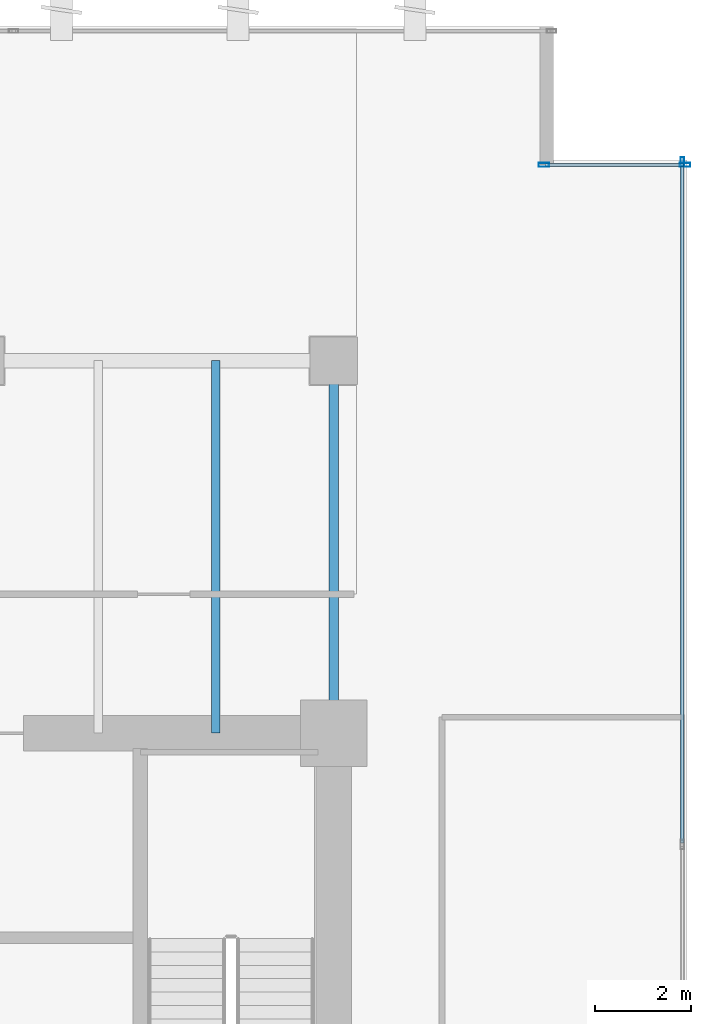
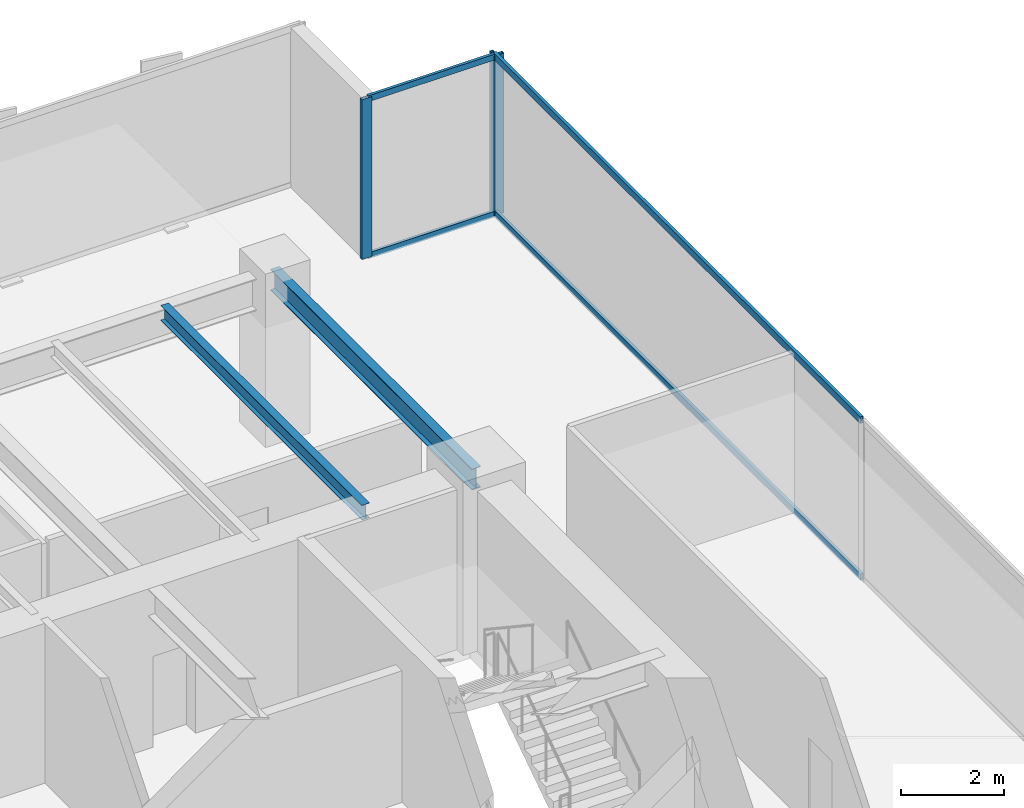
# One storey, part 26 of 37: 7 members, 2 beams, 2 elements without a shape of their own.
"""IFC4 building model written with IfcOpenShell, lengths in metres."""

from ifc_helpers import new_model, si_unit, direction, frame, origin, origin_2d, place, context, subcontext, project, spatial, hollow_rectangle, i_section, extrude, source, transform, mapped, material, layer, layer_set, material_profile, profile_set, type_object, type_shapes, element, aggregate, save


model = new_model("IFC4")

# Units and contexts
model_context = context("Model", 3, precision=1e-05, world=origin(), true_north=direction((0.0, 1.0)))
body_context = subcontext(model_context, "Body", "Model", "MODEL_VIEW")
ifc_project = project(units=[si_unit("LENGTHUNIT", "METRE"), si_unit("AREAUNIT", "SQUARE_METRE"), si_unit("VOLUMEUNIT", "CUBIC_METRE"), si_unit("PLANEANGLEUNIT", "RADIAN"), si_unit("MASSUNIT", "GRAM", prefix="KILO")], contexts=[model_context])

# Site, building, storey
site_placement = place(None, origin())
site = spatial("IfcSite", under=ifc_project, at=site_placement, CompositionType="ELEMENT")
building_placement = place(site_placement, origin())
building = spatial("IfcBuilding", under=site, at=building_placement, Name="Haelvirn Gate Laboratories", CompositionType="ELEMENT")
storey_placement = place(building_placement, frame((0.0, 0.0, 74.39990234375)))
storey = spatial("IfcBuildingStorey", under=building, at=storey_placement, Name="L18", CompositionType="ELEMENT", Elevation=74.39990234375)

# Beams
ifc_material_1 = material(Name="Steel SM355", Category="steel")
ifc_material_profile_1 = material_profile(ifc_material_1, i_section(OverallWidth=0.199951171875, OverallDepth=0.5, WebThickness=0.010009765625, FlangeThickness=0.01611328125, at=origin_2d()), Name="H-500x200x10x16")
ifc_profile_set_1 = profile_set([ifc_material_profile_1], Name="Steel SM355")
beam_type_1 = type_object("IfcBeamType", Name="BM-SP-500", PredefinedType="SPANDREL", material=ifc_profile_set_1)
shared_shape_1 = source(origin(), body_context, "Body", "SweptSolid", [
    extrude(i_section(OverallWidth=0.199951171875, OverallDepth=0.5, WebThickness=0.010009765625, FlangeThickness=0.01611328125, at=origin_2d()), origin(), (0.0, 0.0, 1.0), 7.800048828125),
])
type_shapes(beam_type_1, [shared_shape_1])
beam_1_placement = place(storey_placement, frame((67.39990234375, 33.800048828125, 3.530029296875), z_axis=(0.0, 1.0, 0.0), x_axis=(-1.0, 0.0, 0.0)))
element("IfcBeam", 1, at=beam_1_placement, inside=storey, type_object=beam_type_1, Name="L18 Perimeter Spandrel X67.4 (33.8-41.6)", PredefinedType="SPANDREL", context=body_context, shape_type="MappedRepresentation", body=[
    mapped(shared_shape_1, transform((0.0, 0.0, 0.0), scale=1.0)),
])
ifc_material_profile_2 = material_profile(ifc_material_1, i_section(OverallWidth=0.175048828125, OverallDepth=0.35009765625, WebThickness=0.007080078125, FlangeThickness=0.010986328125, at=origin_2d()), Name="H-350x175x7x11")
ifc_profile_set_2 = profile_set([ifc_material_profile_2], Name="Steel SM355")
beam_type_2 = type_object("IfcBeamType", Name="BM-J-350", PredefinedType="JOIST", material=ifc_profile_set_2)
shared_shape_2 = source(origin(), body_context, "Body", "SweptSolid", [
    extrude(i_section(OverallWidth=0.175048828125, OverallDepth=0.35009765625, WebThickness=0.007080078125, FlangeThickness=0.010986328125, at=origin_2d()), origin(), (0.0, 0.0, 1.0), 7.800048828125),
])
type_shapes(beam_type_2, [shared_shape_2])
beam_2_placement = place(storey_placement, frame((64.929931640625, 33.800048828125, 3.60498046875), z_axis=(0.0, 1.0, 0.0), x_axis=(-1.0, 0.0, 0.0)))
element("IfcBeam", 2, at=beam_2_placement, inside=storey, type_object=beam_type_2, Name="L18 Composite Lab Joist North X64.93", PredefinedType="JOIST", context=body_context, shape_type="MappedRepresentation", body=[
    mapped(shared_shape_2, transform((0.0, 0.0, 0.0), scale=1.0)),
])

# Curtain wall, member
ifc_material_2 = material(Name="Anodised bronze unitised aluminium & triple low-E glass", Category="aluminium")
ifc_layer_1 = layer(ifc_material_2, 0.18408203125, Name="CW-SYS-2")
ifc_layer_set_1 = layer_set([ifc_layer_1], Name="Anodised bronze unitised aluminium & triple low-E glass")
curtain_wall_type_1 = type_object("IfcCurtainWallType", Name="CW-SYS-2", PredefinedType="NOTDEFINED", material=ifc_layer_set_1)
curtain_wall_1_placement = place(storey_placement, origin())
curtain_wall_1 = element("IfcCurtainWall", 3, at=curtain_wall_1_placement, inside=storey, type_object=curtain_wall_type_1, Name="L18 Unitised Curtain Wall CW-L18-P0-E07", PredefinedType="NOTDEFINED")
ifc_material_3 = material(Name="Extruded aluminium 6063-T6 (anodised bronze)", Category="aluminium")
ifc_material_profile_3 = material_profile(ifc_material_3, hollow_rectangle(XDim=0.074951171875, YDim=0.199951171875, WallThickness=0.0048828125, at=origin_2d()), Name="CWM-200x75x5")
ifc_profile_set_3 = profile_set([ifc_material_profile_3], Name="Extruded aluminium 6063-T6 (anodised bronze)")
member_type_1 = type_object("IfcMemberType", Name="CWM-T200", PredefinedType="MULLION", material=ifc_profile_set_3)
shared_shape_3 = source(origin(), body_context, "Body", "SweptSolid", [
    extrude(hollow_rectangle(XDim=0.074951171875, YDim=0.199951171875, WallThickness=0.0048828125, at=origin_2d()), origin(), (0.0, 0.0, 1.0), 3.780029296875),
])
type_shapes(member_type_1, [shared_shape_3])
member_1_placement = place(storey_placement, frame((74.699951171875, 45.762451171875, 0.0), z_axis=(0.0, 0.0, 1.0), x_axis=(-1.0, 0.0, 0.0)))
member_1 = element("IfcMember", 4, at=member_1_placement, type_object=member_type_1, Name="CW2 mullion 4", PredefinedType="MULLION", context=body_context, shape_type="MappedRepresentation", body=[
    mapped(shared_shape_3, transform((0.0, 0.0, 0.0), scale=1.0)),
])

# Curtain wall, members
ifc_layer_2 = layer(ifc_material_2, 0.181884765625, Name="CW-SYS-5")
ifc_layer_set_2 = layer_set([ifc_layer_2], Name="Anodised bronze unitised aluminium & triple low-E glass")
curtain_wall_type_2 = type_object("IfcCurtainWallType", Name="CW-SYS-5", PredefinedType="NOTDEFINED", material=ifc_layer_set_2)
curtain_wall_2_placement = place(storey_placement, origin())
curtain_wall_2 = element("IfcCurtainWall", 5, at=curtain_wall_2_placement, inside=storey, type_object=curtain_wall_type_2, Name="L18 Unitised Curtain Wall CW-L18-P0-E08-1", PredefinedType="NOTDEFINED")
ifc_material_profile_4 = material_profile(ifc_material_3, hollow_rectangle(XDim=0.080078125, YDim=0.219970703125, WallThickness=0.006103515625, at=origin_2d()), Name="CWM-220x80x6")
ifc_profile_set_4 = profile_set([ifc_material_profile_4], Name="Extruded aluminium 6063-T6 (anodised bronze)")
member_type_2 = type_object("IfcMemberType", Name="CWM-T220", PredefinedType="MULLION", material=ifc_profile_set_4)
shared_shape_4 = source(origin(), body_context, "Body", "SweptSolid", [
    extrude(hollow_rectangle(XDim=0.080078125, YDim=0.219970703125, WallThickness=0.006103515625, at=origin_2d()), origin(), (0.0, 0.0, 1.0), 3.780029296875),
])
type_shapes(member_type_2, [shared_shape_4])
member_2_placement = place(storey_placement, frame((71.800048828125, 45.699951171875, 0.0), z_axis=(0.0, 0.0, 1.0), x_axis=(0.0, 1.0, 0.0)))
member_2 = element("IfcMember", 6, at=member_2_placement, type_object=member_type_2, Name="CW5 mullion 1", PredefinedType="MULLION", context=body_context, shape_type="MappedRepresentation", body=[
    mapped(shared_shape_4, transform((0.0, 0.0, 0.0), scale=1.0)),
])
member_3_placement = place(storey_placement, frame((74.760009765625, 45.699951171875, 0.0), z_axis=(0.0, 0.0, 1.0), x_axis=(0.0, 1.0, 0.0)))
member_3 = element("IfcMember", 7, at=member_3_placement, type_object=member_type_2, Name="CW5 mullion 2", PredefinedType="MULLION", context=body_context, shape_type="MappedRepresentation", body=[
    mapped(shared_shape_4, transform((0.0, 0.0, 0.0), scale=1.0)),
])
ifc_material_profile_5 = material_profile(ifc_material_3, hollow_rectangle(XDim=0.06494140625, YDim=0.139892578125, WallThickness=0.00390625, at=origin_2d()), Name="CWT-140x65x4")
ifc_profile_set_5 = profile_set([ifc_material_profile_5], Name="Extruded aluminium 6063-T6 (anodised bronze)")
member_type_3 = type_object("IfcMemberType", Name="CWT-T140", PredefinedType="USERDEFINED", material=ifc_profile_set_5)
shared_shape_5 = source(origin(), body_context, "Body", "SweptSolid", [
    extrude(hollow_rectangle(XDim=0.06494140625, YDim=0.139892578125, WallThickness=0.00390625, at=origin_2d()), origin(), (0.0, 0.0, 1.0), 2.8798828125),
])
type_shapes(member_type_3, [shared_shape_5])
member_4_placement = place(storey_placement, frame((71.840087890625, 45.699951171875, 0.03271484375), z_axis=(1.0, 0.0, 0.0), x_axis=(0.0, 1.0, 0.0)))
member_4 = element("IfcMember", 8, at=member_4_placement, type_object=member_type_3, Name="CW5 transom 1.1", ObjectType="TRANSOM", PredefinedType="USERDEFINED", context=body_context, shape_type="MappedRepresentation", body=[
    mapped(shared_shape_5, transform((0.0, 0.0, 0.0), scale=1.0)),
])
member_5_placement = place(storey_placement, frame((71.840087890625, 45.699951171875, 3.74755859375), z_axis=(1.0, 0.0, 0.0), x_axis=(0.0, 1.0, 0.0)))
member_5 = element("IfcMember", 9, at=member_5_placement, type_object=member_type_3, Name="CW5 transom 1.2", ObjectType="TRANSOM", PredefinedType="USERDEFINED", context=body_context, shape_type="MappedRepresentation", body=[
    mapped(shared_shape_5, transform((0.0, 0.0, 0.0), scale=1.0)),
])
aggregate(curtain_wall_2, [member_2, member_3, member_4, member_5])

# Member
ifc_material_profile_6 = material_profile(ifc_material_3, hollow_rectangle(XDim=0.070068359375, YDim=0.159912109375, WallThickness=0.0048828125, at=origin_2d()), Name="CWT-160x70x5")
ifc_profile_set_6 = profile_set([ifc_material_profile_6], Name="Extruded aluminium 6063-T6 (anodised bronze)")
member_type_4 = type_object("IfcMemberType", Name="CWT-T160", PredefinedType="USERDEFINED", material=ifc_profile_set_6)
shared_shape_6 = source(origin(), body_context, "Body", "SweptSolid", [
    extrude(hollow_rectangle(XDim=0.070068359375, YDim=0.159912109375, WallThickness=0.0048828125, at=origin_2d()), origin(), (0.0, 0.0, 1.0), 14.220947265625),
])
type_shapes(member_type_4, [shared_shape_6])
member_6_placement = place(storey_placement, frame((74.699951171875, 31.504150390625, 0.03515625), z_axis=(0.0, 1.0, 0.0), x_axis=(-1.0, 0.0, 0.0)))
member_6 = element("IfcMember", 10, at=member_6_placement, type_object=member_type_4, Name="CW2 transom 3.1", ObjectType="TRANSOM", PredefinedType="USERDEFINED", context=body_context, shape_type="MappedRepresentation", body=[
    mapped(shared_shape_6, transform((0.0, 0.0, 0.0), scale=1.0)),
])

member_7_placement = place(storey_placement, frame((74.699951171875, 31.504150390625, 3.7451171875), z_axis=(0.0, 1.0, 0.0), x_axis=(-1.0, 0.0, 0.0)))
member_7 = element("IfcMember", 11, at=member_7_placement, type_object=member_type_4, Name="CW2 transom 3.2", ObjectType="TRANSOM", PredefinedType="USERDEFINED", context=body_context, shape_type="MappedRepresentation", body=[
    mapped(shared_shape_6, transform((0.0, 0.0, 0.0), scale=1.0)),
])

aggregate(curtain_wall_1, [member_1, member_6, member_7])

save(model, "model.ifc")
